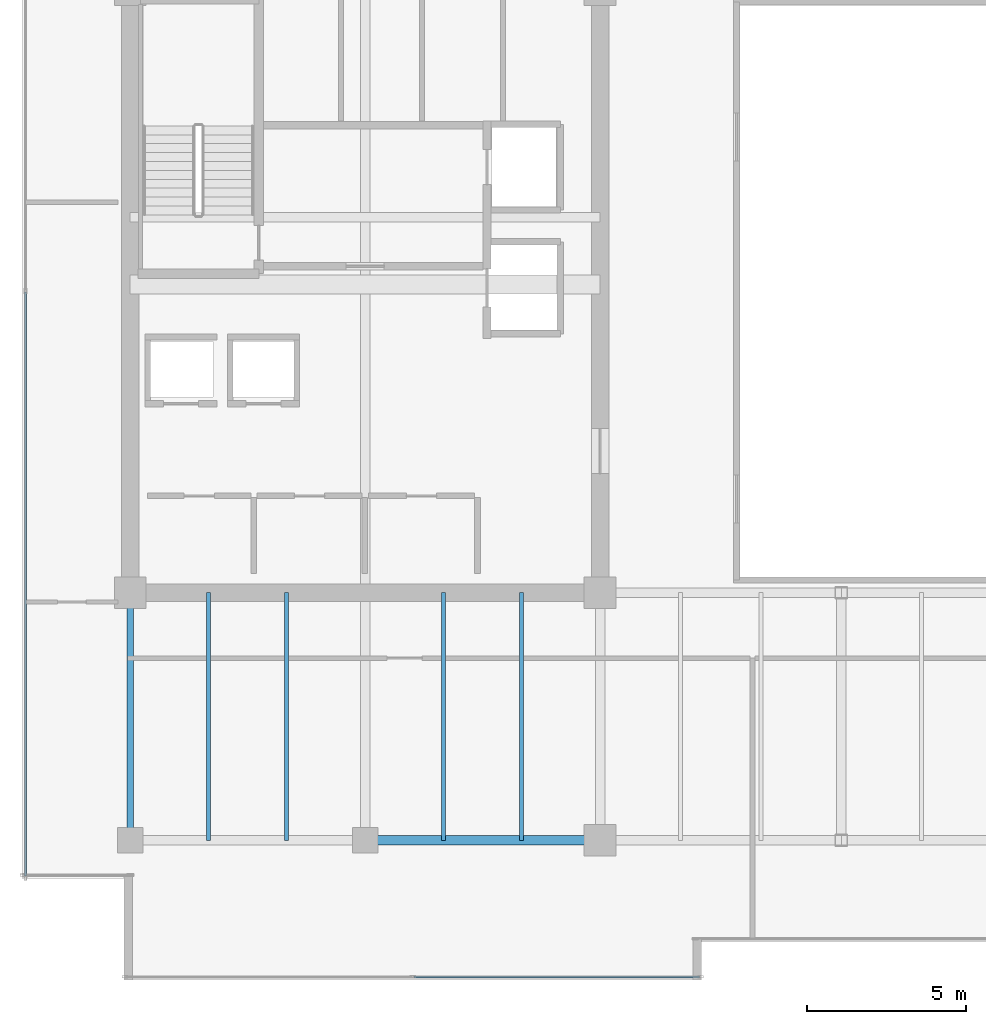
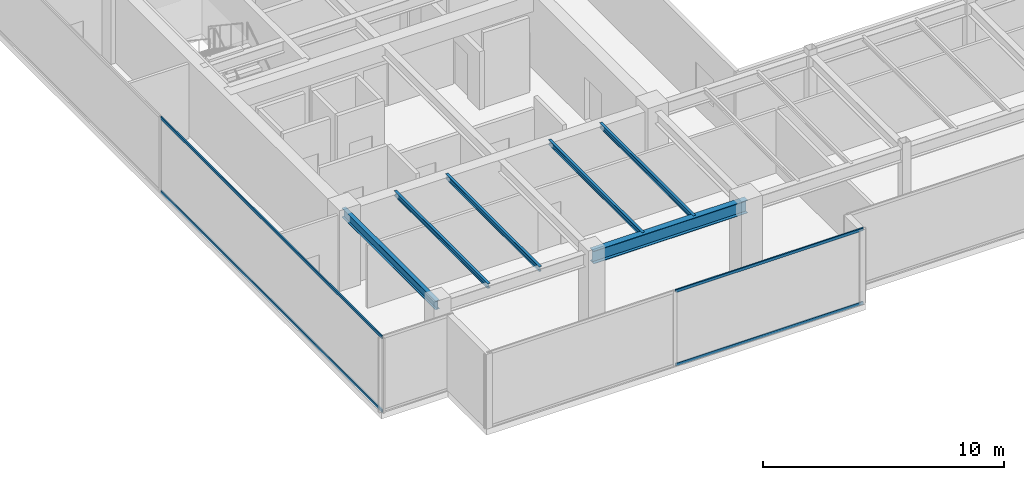
# One storey, part 6 of 33: 6 beams, 4 members, 2 elements without a shape of their own.
"""IFC4 building model written with IfcOpenShell, lengths in metres."""

from ifc_helpers import new_model, si_unit, direction, frame, origin, origin_2d, place, context, subcontext, project, spatial, hollow_rectangle, i_section, extrude, source, transform, mapped, material, layer, layer_set, material_profile, profile_set, type_object, type_shapes, element, aggregate, save


model = new_model("IFC4")

# Units and contexts
model_context = context("Model", 3, precision=1e-05, world=origin(), true_north=direction((0.0, 1.0)))
body_context = subcontext(model_context, "Body", "Model", "MODEL_VIEW")
ifc_project = project(units=[si_unit("LENGTHUNIT", "METRE"), si_unit("AREAUNIT", "SQUARE_METRE"), si_unit("VOLUMEUNIT", "CUBIC_METRE"), si_unit("PLANEANGLEUNIT", "RADIAN"), si_unit("MASSUNIT", "GRAM", prefix="KILO")], contexts=[model_context])

# Site, building, storey
site_placement = place(None, origin())
site = spatial("IfcSite", under=ifc_project, at=site_placement, CompositionType="ELEMENT")
building_placement = place(site_placement, origin())
building = spatial("IfcBuilding", under=site, at=building_placement, Name="Haelvirn Gate Laboratories", CompositionType="ELEMENT")
storey_placement = place(building_placement, frame((0.0, 0.0, 275.199951171875)))
storey = spatial("IfcBuildingStorey", under=building, at=storey_placement, Name="L66", CompositionType="ELEMENT", Elevation=275.199951171875)

# Beams
ifc_material_1 = material(Name="Steel SM355", Category="steel")
ifc_material_profile_1 = material_profile(ifc_material_1, i_section(OverallWidth=0.300048828125, OverallDepth=0.64990234375, WebThickness=0.012939453125, FlangeThickness=0.02197265625, at=origin_2d()), Name="H-650x300x13x22")
ifc_profile_set_1 = profile_set([ifc_material_profile_1], Name="Steel SM355")
beam_type_1 = type_object("IfcBeamType", Name="BM-G-650", PredefinedType="BEAM", material=ifc_profile_set_1)
shared_shape_1 = source(origin(), body_context, "Body", "SweptSolid", [
    extrude(i_section(OverallWidth=0.300048828125, OverallDepth=0.64990234375, WebThickness=0.012939453125, FlangeThickness=0.02197265625, at=origin_2d()), origin(), (0.0, 0.0, 1.0), 7.39990234375),
])
type_shapes(beam_type_1, [shared_shape_1])
beam_1_placement = place(storey_placement, frame((14.800048828125, 7.0, 3.47509765625), z_axis=(1.0, 0.0, 0.0), x_axis=(0.0, 1.0, 0.0)))
element("IfcBeam", 1, at=beam_1_placement, inside=storey, type_object=beam_type_1, Name="L66 Primary Girder Y7.0 (14.8-22.2)", PredefinedType="BEAM", context=body_context, shape_type="MappedRepresentation", body=[
    mapped(shared_shape_1, transform((0.0, 0.0, 0.0), scale=1.0)),
])
ifc_material_profile_2 = material_profile(ifc_material_1, i_section(OverallWidth=0.199951171875, OverallDepth=0.449951171875, WebThickness=0.009033203125, FlangeThickness=0.013916015625, at=origin_2d()), Name="H-450x200x9x14")
ifc_profile_set_2 = profile_set([ifc_material_profile_2], Name="Steel SM355")
beam_type_2 = type_object("IfcBeamType", Name="BM-SP-450", PredefinedType="SPANDREL", material=ifc_profile_set_2)
shared_shape_2 = source(origin(), body_context, "Body", "SweptSolid", [
    extrude(i_section(OverallWidth=0.199951171875, OverallDepth=0.449951171875, WebThickness=0.009033203125, FlangeThickness=0.013916015625, at=origin_2d()), origin(), (0.0, 0.0, 1.0), 7.800048828125),
])
type_shapes(beam_type_2, [shared_shape_2])
beam_2_placement = place(storey_placement, frame((7.39990234375, 7.0, 3.574951171875), z_axis=(0.0, 1.0, 0.0), x_axis=(-1.0, 0.0, 0.0)))
element("IfcBeam", 2, at=beam_2_placement, inside=storey, type_object=beam_type_2, Name="L66 Perimeter Spandrel X7.4 (7.0-14.8)", PredefinedType="SPANDREL", context=body_context, shape_type="MappedRepresentation", body=[
    mapped(shared_shape_2, transform((0.0, 0.0, 0.0), scale=1.0)),
])
ifc_material_profile_3 = material_profile(ifc_material_1, i_section(OverallWidth=0.125, OverallDepth=0.25, WebThickness=0.006103515625, FlangeThickness=0.009033203125, at=origin_2d()), Name="H-250x125x6x9")
ifc_profile_set_3 = profile_set([ifc_material_profile_3], Name="Steel SM355")
beam_type_3 = type_object("IfcBeamType", Name="BM-J-250", PredefinedType="JOIST", material=ifc_profile_set_3)
shared_shape_3 = source(origin(), body_context, "Body", "SweptSolid", [
    extrude(i_section(OverallWidth=0.125, OverallDepth=0.25, WebThickness=0.006103515625, FlangeThickness=0.009033203125, at=origin_2d()), origin(), (0.0, 0.0, 1.0), 7.800048828125),
])
type_shapes(beam_type_3, [shared_shape_3])
for number, where, z_axis, x_axis, name in (
    (3, (9.8701171875, 7.0, 3.675048828125), (0.0, 1.0, 0.0), (-1.0, 0.0, 0.0), "L66 Composite Lab Joist South X9.87"),
    (4, (12.330078125, 7.0, 3.675048828125), (0.0, 1.0, 0.0), (-1.0, 0.0, 0.0), "L66 Composite Lab Joist South X12.33"),
    (5, (17.27001953125, 7.0, 3.675048828125), (0.0, 1.0, 0.0), (-1.0, 0.0, 0.0), "L66 Composite Lab Joist South X17.27"),
    (6, (19.72998046875, 7.0, 3.675048828125), (0.0, 1.0, 0.0), (-1.0, 0.0, 0.0), "L66 Composite Lab Joist South X19.73"),
):
    element("IfcBeam", number, at=place(storey_placement, frame(where, z_axis=z_axis, x_axis=x_axis)), inside=storey, type_object=beam_type_3, Name=name, PredefinedType="JOIST", context=body_context, shape_type="MappedRepresentation", body=[
        mapped(shared_shape_3, transform((0.0, 0.0, 0.0), scale=1.0)),
    ])

# Curtain wall, members
ifc_material_2 = material(Name="Anodised bronze unitised aluminium & triple low-E glass", Category="aluminium")
ifc_layer = layer(ifc_material_2, 0.176025390625, Name="CW-SYS-4")
ifc_layer_set = layer_set([ifc_layer], Name="Anodised bronze unitised aluminium & triple low-E glass")
curtain_wall_type = type_object("IfcCurtainWallType", Name="CW-SYS-4", PredefinedType="NOTDEFINED", material=ifc_layer_set)
curtain_wall_1_placement = place(storey_placement, origin())
curtain_wall_1 = element("IfcCurtainWall", 7, at=curtain_wall_1_placement, inside=storey, type_object=curtain_wall_type, Name="L66 Unitised Curtain Wall CW-L66-P0-E00-1", PredefinedType="NOTDEFINED")
ifc_material_3 = material(Name="Extruded aluminium 6063-T6 (anodised bronze)", Category="aluminium")
ifc_material_profile_4 = material_profile(ifc_material_3, hollow_rectangle(XDim=0.06494140625, YDim=0.139892578125, WallThickness=0.00390625, at=origin_2d()), Name="CWT-140x65x4")
ifc_profile_set_4 = profile_set([ifc_material_profile_4], Name="Extruded aluminium 6063-T6 (anodised bronze)")
member_type = type_object("IfcMemberType", Name="CWT-T140", PredefinedType="USERDEFINED", material=ifc_profile_set_4)
shared_shape_4 = source(origin(), body_context, "Body", "SweptSolid", [
    extrude(hollow_rectangle(XDim=0.06494140625, YDim=0.139892578125, WallThickness=0.00390625, at=origin_2d()), origin(), (0.0, 0.0, 1.0), 8.9951171875),
])
member_1_placement = place(storey_placement, frame((16.3349609375, 2.699951171875, 0.032470703125), z_axis=(1.0, 0.0, 0.0), x_axis=(0.0, 1.0, 0.0)))
member_1 = element("IfcMember", 8, at=member_1_placement, type_object=member_type, Name="CW4 transom 2.1", ObjectType="TRANSOM", PredefinedType="USERDEFINED", context=body_context, shape_type="MappedRepresentation", body=[
    mapped(shared_shape_4, transform((0.0, 0.0, 0.0), scale=1.0)),
])
member_2_placement = place(storey_placement, frame((16.3349609375, 2.699951171875, 3.767578125), z_axis=(1.0, 0.0, 0.0), x_axis=(0.0, 1.0, 0.0)))
member_2 = element("IfcMember", 9, at=member_2_placement, type_object=member_type, Name="CW4 transom 2.2", ObjectType="TRANSOM", PredefinedType="USERDEFINED", context=body_context, shape_type="MappedRepresentation", body=[
    mapped(shared_shape_4, transform((0.0, 0.0, 0.0), scale=1.0)),
])
aggregate(curtain_wall_1, [member_1, member_2])

curtain_wall_2_placement = place(storey_placement, origin())
curtain_wall_2 = element("IfcCurtainWall", 10, at=curtain_wall_2_placement, inside=storey, type_object=curtain_wall_type, Name="L66 Unitised Curtain Wall CW-L66-P0-E17", PredefinedType="NOTDEFINED")
shared_shape_5 = source(origin(), body_context, "Body", "SweptSolid", [
    extrude(hollow_rectangle(XDim=0.06494140625, YDim=0.139892578125, WallThickness=0.00390625, at=origin_2d()), origin(), (0.0, 0.0, 1.0), 18.394775390625),
])
type_shapes(member_type, [shared_shape_4, shared_shape_5])
member_3_placement = place(storey_placement, frame((4.10009765625, 24.264892578125, 0.032470703125), z_axis=(0.0, -1.0, 0.0), x_axis=(1.0, 0.0, 0.0)))
member_3 = element("IfcMember", 11, at=member_3_placement, type_object=member_type, Name="CW4 transom 2.1", ObjectType="TRANSOM", PredefinedType="USERDEFINED", context=body_context, shape_type="MappedRepresentation", body=[
    mapped(shared_shape_5, transform((0.0, 0.0, 0.0), scale=1.0)),
])
member_4_placement = place(storey_placement, frame((4.10009765625, 24.264892578125, 3.767578125), z_axis=(0.0, -1.0, 0.0), x_axis=(1.0, 0.0, 0.0)))
member_4 = element("IfcMember", 12, at=member_4_placement, type_object=member_type, Name="CW4 transom 2.2", ObjectType="TRANSOM", PredefinedType="USERDEFINED", context=body_context, shape_type="MappedRepresentation", body=[
    mapped(shared_shape_5, transform((0.0, 0.0, 0.0), scale=1.0)),
])
aggregate(curtain_wall_2, [member_3, member_4])

save(model, "model.ifc")
